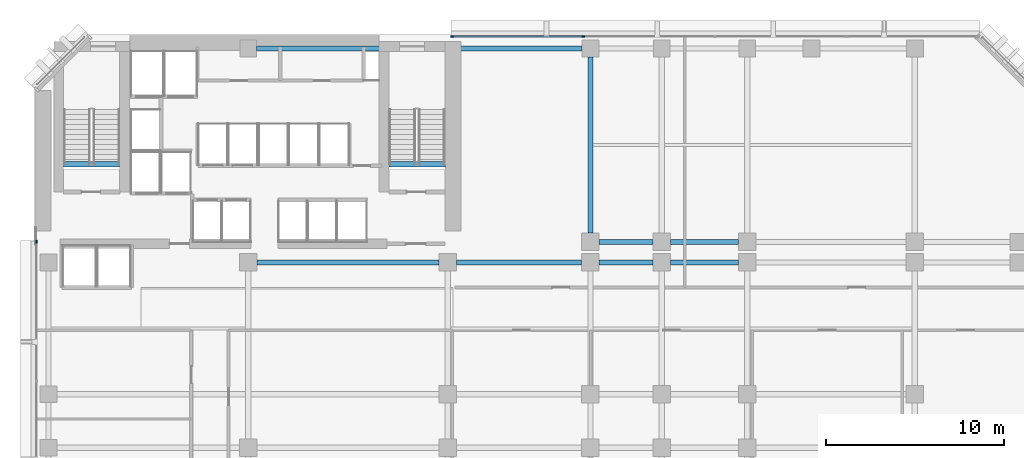
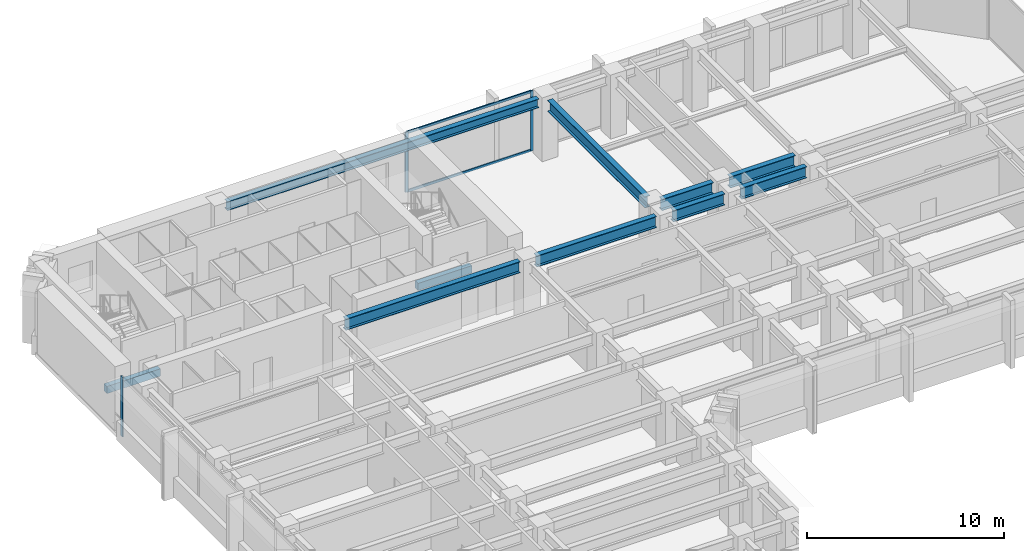
# One storey, part 4 of 13: 10 beams, 5 members, 2 elements without a shape of their own.
"""IFC4 building model written with IfcOpenShell, lengths in metres."""

from ifc_helpers import new_model, si_unit, direction, frame, origin, origin_2d, place, context, subcontext, project, spatial, rectangle, i_section, extrude, material, layer, layer_set, material_profile, profile_set, type_object, element, aggregate, save


model = new_model("IFC4")

# Units and contexts
model_context = context("Model", 3, precision=1e-05, world=origin(), true_north=direction((0.0, 1.0)))
body_context = subcontext(model_context, "Body", "Model", "MODEL_VIEW")
ifc_project = project(units=[si_unit("LENGTHUNIT", "METRE"), si_unit("AREAUNIT", "SQUARE_METRE"), si_unit("VOLUMEUNIT", "CUBIC_METRE"), si_unit("PLANEANGLEUNIT", "RADIAN"), si_unit("MASSUNIT", "GRAM", prefix="KILO")], contexts=[model_context])

# Site, building, storey
site_placement = place(None, origin())
site = spatial("IfcSite", under=ifc_project, at=site_placement, CompositionType="ELEMENT")
building_placement = place(site_placement, origin())
building = spatial("IfcBuilding", under=site, at=building_placement, Name="Kefirva Bronze Tower", CompositionType="ELEMENT")
storey_placement = place(building_placement, frame((0.0, 0.0, 54.1201171875)))
storey = spatial("IfcBuildingStorey", under=building, at=storey_placement, Name="L12", CompositionType="ELEMENT", Elevation=54.1201171875)

# Curtain wall, members
ifc_material_1 = material(Name="Bronze anodised aluminium", Category="aluminium")
ifc_layer = layer(ifc_material_1, 0.199951171875, Name="Bronze anodised aluminium")
ifc_layer_set = layer_set([ifc_layer], Name="Bronze anodised aluminium")
curtain_wall_type = type_object("IfcCurtainWallType", Name="Unitised Bronze Ribbon Curtain Wall Zone 1", PredefinedType="USERDEFINED", material=ifc_layer_set)
curtain_wall_1_placement = place(storey_placement, origin())
curtain_wall_1 = element("IfcCurtainWall", 1, at=curtain_wall_1_placement, inside=storey, type_object=curtain_wall_type, Name="L12 Curtain Wall 4", ObjectType="UNITISED CURTAIN WALL", PredefinedType="USERDEFINED")
ifc_material_profile_1 = material_profile(ifc_material_1, rectangle(XDim=0.074951171875, YDim=0.179931640625, at=origin_2d()), Name="ALU 75x180")
ifc_profile_set_1 = profile_set([ifc_material_profile_1], Name="Bronze anodised aluminium")
member_type_1 = type_object("IfcMemberType", Name="Bronze Mullion 75x180", PredefinedType="MULLION", material=ifc_profile_set_1)
member_1_placement = place(storey_placement, frame((30.7900390625, 45.8798828125, 0.0), z_axis=(0.0, 0.0, 1.0), x_axis=(0.0, -1.0, 0.0)))
member_1 = element("IfcMember", 2, at=member_1_placement, type_object=member_type_1, Name="CW-01 mullion 4", PredefinedType="MULLION", context=body_context, shape_type="SweptSolid", body=[
    extrude(rectangle(XDim=0.074951171875, YDim=0.179931640625, at=origin_2d()), origin(), (0.0, 0.0, 1.0), 3.7099609375),
])
member_2_placement = place(storey_placement, frame((23.4423828125, 45.8798828125, 0.0), z_axis=(0.0, 0.0, 1.0), x_axis=(0.0, -1.0, 0.0)))
member_2 = element("IfcMember", 3, at=member_2_placement, type_object=member_type_1, Name="CW-01 mullion 5", PredefinedType="MULLION", context=body_context, shape_type="SweptSolid", body=[
    extrude(rectangle(XDim=0.074951171875, YDim=0.179931640625, at=origin_2d()), origin(), (0.0, 0.0, 1.0), 3.7099609375),
])

# Curtain wall, member
curtain_wall_2_placement = place(storey_placement, origin())
curtain_wall_2 = element("IfcCurtainWall", 4, at=curtain_wall_2_placement, inside=storey, type_object=curtain_wall_type, Name="L12 Curtain Wall 5", ObjectType="UNITISED CURTAIN WALL", PredefinedType="USERDEFINED")
member_3_placement = place(storey_placement, frame((0.1201171875, 34.357421875, 0.0), z_axis=(0.0, 0.0, 1.0), x_axis=(1.0, 0.0, 0.0)))
member_3 = element("IfcMember", 5, at=member_3_placement, type_object=member_type_1, Name="CW-01 mullion 1", PredefinedType="MULLION", context=body_context, shape_type="SweptSolid", body=[
    extrude(rectangle(XDim=0.074951171875, YDim=0.179931640625, at=origin_2d()), origin(), (0.0, 0.0, 1.0), 3.7099609375),
])
aggregate(curtain_wall_2, [member_3])

# Member
ifc_material_profile_2 = material_profile(ifc_material_1, rectangle(XDim=0.074951171875, YDim=0.14990234375, at=origin_2d()), Name="ALU 75x150")
ifc_profile_set_2 = profile_set([ifc_material_profile_2], Name="Bronze anodised aluminium")
member_type_2 = type_object("IfcMemberType", Name="Bronze Transom 75x150", PredefinedType="USERDEFINED", material=ifc_profile_set_2)
member_4_placement = place(storey_placement, frame((30.75244140625, 45.8798828125, 0.037353515625), z_axis=(-1.0, 0.0, 0.0), x_axis=(0.0, -1.0, 0.0)))
member_4 = element("IfcMember", 6, at=member_4_placement, type_object=member_type_2, Name="CW-01 transom 4.1", ObjectType="TRANSOM", PredefinedType="USERDEFINED", context=body_context, shape_type="SweptSolid", body=[
    extrude(rectangle(XDim=0.074951171875, YDim=0.14990234375, at=origin_2d()), origin(), (0.0, 0.0, 1.0), 7.2724609375),
])

member_5_placement = place(storey_placement, frame((30.75244140625, 45.8798828125, 3.67236328125), z_axis=(-1.0, 0.0, 0.0), x_axis=(0.0, -1.0, 0.0)))
member_5 = element("IfcMember", 7, at=member_5_placement, type_object=member_type_2, Name="CW-01 transom 4.2", ObjectType="TRANSOM", PredefinedType="USERDEFINED", context=body_context, shape_type="SweptSolid", body=[
    extrude(rectangle(XDim=0.074951171875, YDim=0.14990234375, at=origin_2d()), origin(), (0.0, 0.0, 1.0), 7.2724609375),
])

aggregate(curtain_wall_1, [member_1, member_2, member_4, member_5])

# Beams
ifc_material_2 = material(Name="Concrete C50/60", Category="concrete")
ifc_material_profile_3 = material_profile(ifc_material_2, rectangle(XDim=0.300048828125, YDim=0.449951171875, at=origin_2d()), Name="RC 300x450")
ifc_profile_set_3 = profile_set([ifc_material_profile_3], Name="Concrete C50/60")
beam_type_1 = type_object("IfcBeamType", Name="RC Stair Trimmer Beam 300x450", PredefinedType="BEAM", material=ifc_profile_set_3)
beam_1_placement = place(storey_placement, frame((1.64501953125, 38.699951171875, -0.22509765625), z_axis=(1.0, 0.0, 0.0), x_axis=(0.0, 1.0, 0.0)))
element("IfcBeam", 8, at=beam_1_placement, inside=storey, type_object=beam_type_1, Name="L12 Stair 1 Landing Trimmer Beam", PredefinedType="BEAM", context=body_context, shape_type="SweptSolid", body=[
    extrude(rectangle(XDim=0.300048828125, YDim=0.449951171875, at=origin_2d()), origin(), (0.0, 0.0, 1.0), 3.14990234375),
])
beam_2_placement = place(storey_placement, frame((19.89501953125, 38.699951171875, -0.22509765625), z_axis=(1.0, 0.0, 0.0), x_axis=(0.0, 1.0, 0.0)))
element("IfcBeam", 9, at=beam_2_placement, inside=storey, type_object=beam_type_1, Name="L12 Stair 2 Landing Trimmer Beam", PredefinedType="BEAM", context=body_context, shape_type="SweptSolid", body=[
    extrude(rectangle(XDim=0.300048828125, YDim=0.449951171875, at=origin_2d()), origin(), (0.0, 0.0, 1.0), 3.159912109375),
])
ifc_material_3 = material(Name="Steel S355", Category="steel")
ifc_material_profile_4 = material_profile(ifc_material_3, i_section(OverallWidth=0.300048828125, OverallDepth=0.699951171875, WebThickness=0.01708984375, FlangeThickness=0.031982421875, at=origin_2d()), Name="HEB 700")
ifc_profile_set_4 = profile_set([ifc_material_profile_4], Name="Steel S355")
beam_type_2 = type_object("IfcBeamType", Name="Steel Girder HEB 700", PredefinedType="USERDEFINED", material=ifc_profile_set_4)
beam_3_placement = place(storey_placement, frame((12.489990234375, 33.199951171875, 3.35986328125), z_axis=(1.0, 0.0, 0.0), x_axis=(0.0, 1.0, 0.0)))
element("IfcBeam", 10, at=beam_3_placement, inside=storey, type_object=beam_type_2, Name="L12 BM-L12-EW-12-332", ObjectType="GIRDER", PredefinedType="USERDEFINED", context=body_context, shape_type="SweptSolid", body=[
    extrude(i_section(OverallWidth=0.300048828125, OverallDepth=0.699951171875, WebThickness=0.01708984375, FlangeThickness=0.031982421875, at=origin_2d()), origin(), (0.0, 0.0, 1.0), 10.219970703125),
])
beam_4_placement = place(storey_placement, frame((23.68994140625, 33.199951171875, 3.35986328125), z_axis=(1.0, 0.0, 0.0), x_axis=(0.0, 1.0, 0.0)))
element("IfcBeam", 11, at=beam_4_placement, inside=storey, type_object=beam_type_2, Name="L12 BM-L12-EW-23-332", ObjectType="GIRDER", PredefinedType="USERDEFINED", context=body_context, shape_type="SweptSolid", body=[
    extrude(i_section(OverallWidth=0.300048828125, OverallDepth=0.699951171875, WebThickness=0.01708984375, FlangeThickness=0.031982421875, at=origin_2d()), origin(), (0.0, 0.0, 1.0), 7.02001953125),
])
beam_5_placement = place(storey_placement, frame((31.68994140625, 33.199951171875, 3.35986328125), z_axis=(1.0, 0.0, 0.0), x_axis=(0.0, 1.0, 0.0)))
element("IfcBeam", 12, at=beam_5_placement, inside=storey, type_object=beam_type_2, Name="L12 BM-L12-EW-31-332", ObjectType="GIRDER", PredefinedType="USERDEFINED", context=body_context, shape_type="SweptSolid", body=[
    extrude(i_section(OverallWidth=0.300048828125, OverallDepth=0.699951171875, WebThickness=0.01708984375, FlangeThickness=0.031982421875, at=origin_2d()), origin(), (0.0, 0.0, 1.0), 3.02001953125),
])
beam_6_placement = place(storey_placement, frame((35.68994140625, 33.199951171875, 3.35986328125), z_axis=(1.0, 0.0, 0.0), x_axis=(0.0, 1.0, 0.0)))
element("IfcBeam", 13, at=beam_6_placement, inside=storey, type_object=beam_type_2, Name="L12 BM-L12-EW-35-332", ObjectType="GIRDER", PredefinedType="USERDEFINED", context=body_context, shape_type="SweptSolid", body=[
    extrude(i_section(OverallWidth=0.300048828125, OverallDepth=0.699951171875, WebThickness=0.01708984375, FlangeThickness=0.031982421875, at=origin_2d()), origin(), (0.0, 0.0, 1.0), 3.820068359375),
])
beam_7_placement = place(storey_placement, frame((31.68994140625, 34.35009765625, 3.35986328125), z_axis=(1.0, 0.0, 0.0), x_axis=(0.0, 1.0, 0.0)))
element("IfcBeam", 14, at=beam_7_placement, inside=storey, type_object=beam_type_2, Name="L12 BM-L12-EW-31-344", ObjectType="GIRDER", PredefinedType="USERDEFINED", context=body_context, shape_type="SweptSolid", body=[
    extrude(i_section(OverallWidth=0.300048828125, OverallDepth=0.699951171875, WebThickness=0.01708984375, FlangeThickness=0.031982421875, at=origin_2d()), origin(), (0.0, 0.0, 1.0), 3.02001953125),
])
beam_8_placement = place(storey_placement, frame((35.68994140625, 34.35009765625, 3.35986328125), z_axis=(1.0, 0.0, 0.0), x_axis=(0.0, 1.0, 0.0)))
element("IfcBeam", 15, at=beam_8_placement, inside=storey, type_object=beam_type_2, Name="L12 BM-L12-EW-35-344", ObjectType="GIRDER", PredefinedType="USERDEFINED", context=body_context, shape_type="SweptSolid", body=[
    extrude(i_section(OverallWidth=0.300048828125, OverallDepth=0.699951171875, WebThickness=0.01708984375, FlangeThickness=0.031982421875, at=origin_2d()), origin(), (0.0, 0.0, 1.0), 3.820068359375),
])
beam_9_placement = place(storey_placement, frame((31.199951171875, 34.840087890625, 3.35986328125), z_axis=(0.0, 1.0, 0.0), x_axis=(-1.0, 0.0, 0.0)))
element("IfcBeam", 16, at=beam_9_placement, inside=storey, type_object=beam_type_2, Name="L12 BM-L12-NS-312-34", ObjectType="GIRDER", PredefinedType="USERDEFINED", context=body_context, shape_type="SweptSolid", body=[
    extrude(i_section(OverallWidth=0.300048828125, OverallDepth=0.699951171875, WebThickness=0.01708984375, FlangeThickness=0.031982421875, at=origin_2d()), origin(), (0.0, 0.0, 1.0), 9.889892578125),
])
ifc_material_profile_5 = material_profile(ifc_material_3, i_section(OverallWidth=0.300048828125, OverallDepth=0.550048828125, WebThickness=0.014892578125, FlangeThickness=0.029052734375, at=origin_2d()), Name="HEB 550")
ifc_profile_set_5 = profile_set([ifc_material_profile_5], Name="Steel S355")
beam_type_3 = type_object("IfcBeamType", Name="Steel Spandrel HEB 550 Ext", PredefinedType="SPANDREL", material=ifc_profile_set_5)
beam_10_placement = place(storey_placement, frame((12.469970703125, 45.199951171875, 3.434814453125), z_axis=(1.0, 0.0, 0.0), x_axis=(0.0, 1.0, 0.0)))
element("IfcBeam", 17, at=beam_10_placement, inside=storey, type_object=beam_type_3, Name="L12 BM-L12-EW-12-452", PredefinedType="SPANDREL", context=body_context, shape_type="SweptSolid", body=[
    extrude(i_section(OverallWidth=0.300048828125, OverallDepth=0.550048828125, WebThickness=0.014892578125, FlangeThickness=0.029052734375, at=origin_2d()), origin(), (0.0, 0.0, 1.0), 18.260009765625),
])

save(model, "model.ifc")
